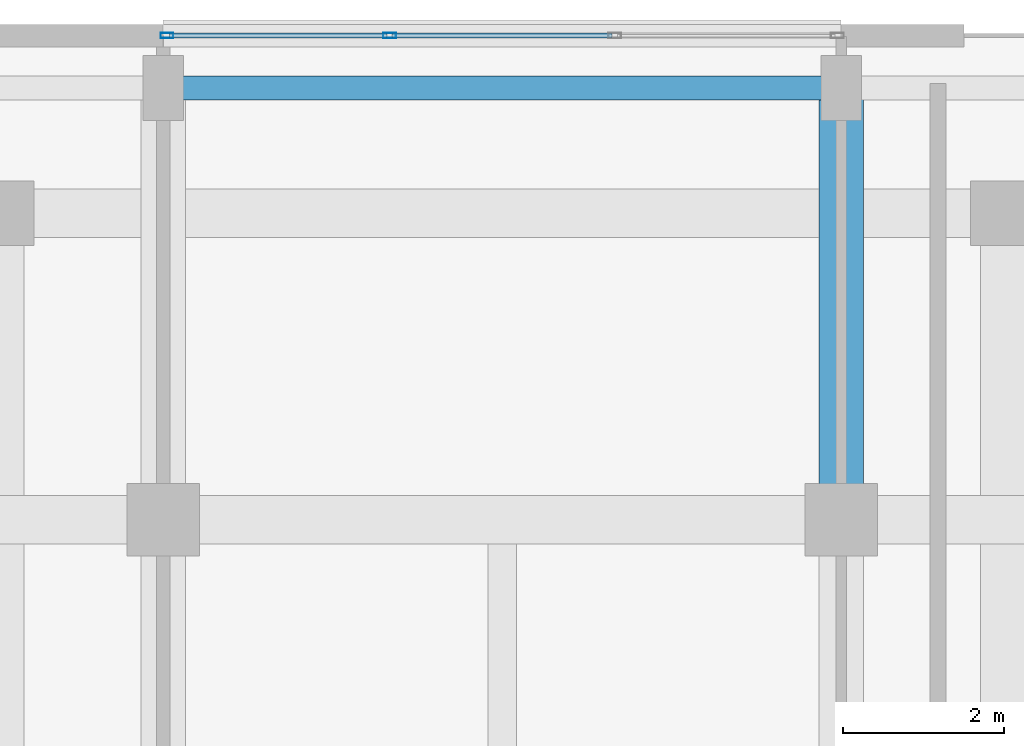
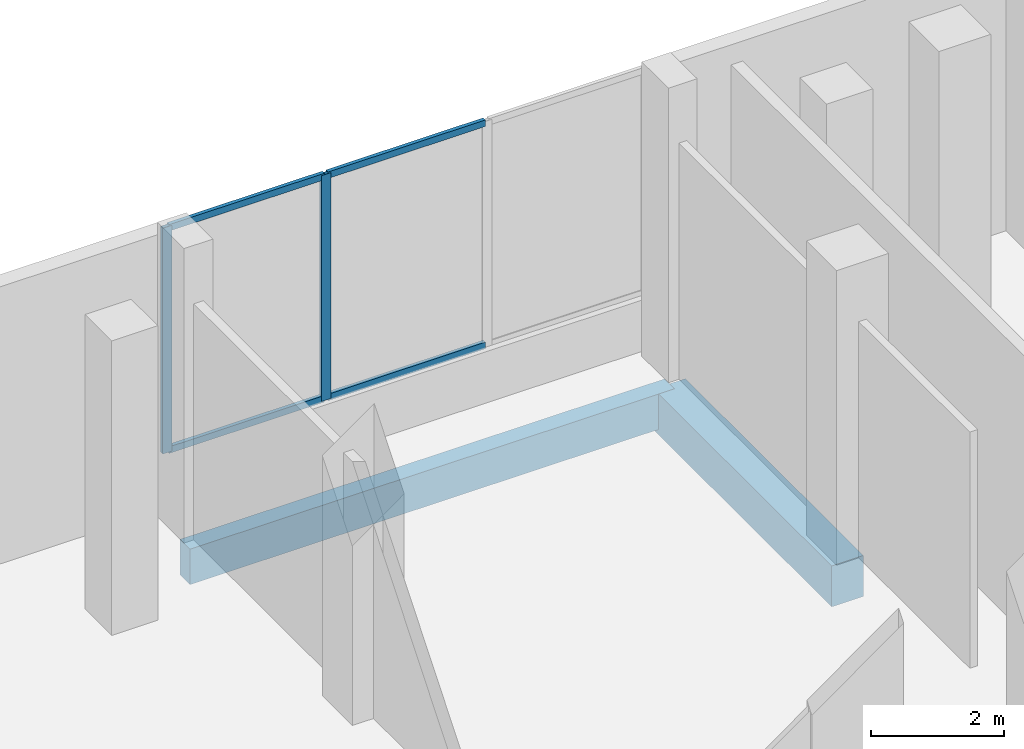
# One storey, part 87 of 158: 6 members, 2 beams, 1 element without a shape of its own.
"""IFC4 building model written with IfcOpenShell, lengths in metres."""

from ifc_helpers import new_model, si_unit, direction, frame, origin, origin_2d, place, context, subcontext, project, spatial, rectangle, hollow_rectangle, extrude, material, material_profile, profile_set, type_object, element, aggregate, save


model = new_model("IFC4")

# Units and contexts
model_context = context("Model", 3, precision=1e-05, world=origin(), true_north=direction((0.0, 1.0)))
body_context = subcontext(model_context, "Body", "Model", "MODEL_VIEW")
ifc_project = project(units=[si_unit("LENGTHUNIT", "METRE"), si_unit("AREAUNIT", "SQUARE_METRE"), si_unit("VOLUMEUNIT", "CUBIC_METRE"), si_unit("PLANEANGLEUNIT", "RADIAN"), si_unit("MASSUNIT", "GRAM", prefix="KILO")], contexts=[model_context])

# Site, building, storey
site_placement = place(None, origin())
site = spatial("IfcSite", under=ifc_project, at=site_placement, CompositionType="ELEMENT")
building_placement = place(site_placement, origin())
building = spatial("IfcBuilding", under=site, at=building_placement, Name="Selatvlak General Hospital", CompositionType="ELEMENT")
storey_placement = place(building_placement, origin())
storey = spatial("IfcBuildingStorey", under=building, at=storey_placement, Name="L00", CompositionType="ELEMENT", Elevation=0.0)

# Beams
ifc_material_1 = material(Name="Concrete C40/50", Category="concrete")
ifc_material_profile_1 = material_profile(ifc_material_1, rectangle(XDim=0.550048828125, YDim=0.75, at=origin_2d()), Name="RC-BM 550x750")
ifc_profile_set_1 = profile_set([ifc_material_profile_1], Name="Concrete C40/50")
beam_type_1 = type_object("IfcBeamType", Name="BM-G02", PredefinedType="BEAM", material=ifc_profile_set_1)
beam_1_placement = place(storey_placement, frame((81.60009765625, 114.0, -0.72509765625), z_axis=(0.0, 1.0, 0.0), x_axis=(-1.0, 0.0, 0.0)))
element("IfcBeam", 1, at=beam_1_placement, inside=storey, type_object=beam_type_1, Name="Beam BMR-L00-0219", PredefinedType="BEAM", context=body_context, shape_type="SweptSolid", body=[
    extrude(rectangle(XDim=0.550048828125, YDim=0.75, at=origin_2d()), origin(), (0.0, 0.0, 1.0), 5.35009765625),
])
ifc_material_profile_2 = material_profile(ifc_material_1, rectangle(XDim=0.300048828125, YDim=0.64990234375, at=origin_2d()), Name="RC-SP 300x650")
ifc_profile_set_2 = profile_set([ifc_material_profile_2], Name="Concrete C40/50")
beam_type_2 = type_object("IfcBeamType", Name="BM-SP1", PredefinedType="SPANDREL", material=ifc_profile_set_2)
beam_2_placement = place(storey_placement, frame((73.199951171875, 119.35009765625, -0.675048828125), z_axis=(1.0, 0.0, 0.0), x_axis=(0.0, 1.0, 0.0)))
element("IfcBeam", 2, at=beam_2_placement, inside=storey, type_object=beam_type_2, Name="Beam BMR-L00-0151", PredefinedType="SPANDREL", context=body_context, shape_type="SweptSolid", body=[
    extrude(rectangle(XDim=0.300048828125, YDim=0.64990234375, at=origin_2d()), origin(), (0.0, 0.0, 1.0), 8.400146484375),
])

# Curtain wall, members
ifc_material_2 = material(Name="Solar-control Low-E double glazing", Category="glass")
curtain_wall_type = type_object("IfcCurtainWallType", Name="CW-CW-01", PredefinedType="USERDEFINED", material=ifc_material_2)
curtain_wall_placement = place(storey_placement, origin())
curtain_wall = element("IfcCurtainWall", 3, at=curtain_wall_placement, inside=storey, type_object=curtain_wall_type, Name="Glazed facade curtain wall CW-L00-0006", ObjectType="UNITISED CURTAIN WALL", PredefinedType="USERDEFINED")
ifc_material_3 = material(Name="Dark anodised aluminium mullion", Category="aluminium")
ifc_material_profile_3 = material_profile(ifc_material_3, hollow_rectangle(XDim=0.06494140625, YDim=0.159912109375, WallThickness=0.00390625, at=origin_2d()), Name="AL-MUL 65x160x4")
ifc_profile_set_3 = profile_set([ifc_material_profile_3], Name="Dark anodised aluminium mullion")
member_type_1 = type_object("IfcMemberType", Name="CWM-01", PredefinedType="MULLION", material=ifc_profile_set_3)
member_1_placement = place(storey_placement, frame((73.24755859375, 119.9990234375, 0.93994140625), z_axis=(0.0, 0.0, 1.0), x_axis=(0.0, 1.0, 0.0)))
member_1 = element("IfcMember", 4, at=member_1_placement, type_object=member_type_1, Name="CW-01 mullion 1", PredefinedType="MULLION", context=body_context, shape_type="SweptSolid", body=[
    extrude(hollow_rectangle(XDim=0.06494140625, YDim=0.159912109375, WallThickness=0.00390625, at=origin_2d()), origin(), (0.0, 0.0, 1.0), 4.14013671875),
])
member_2_placement = place(storey_placement, frame((76.0048828125, 119.9990234375, 0.93994140625), z_axis=(0.0, 0.0, 1.0), x_axis=(0.0, 1.0, 0.0)))
member_2 = element("IfcMember", 5, at=member_2_placement, type_object=member_type_1, Name="CW-01 mullion 2", PredefinedType="MULLION", context=body_context, shape_type="SweptSolid", body=[
    extrude(hollow_rectangle(XDim=0.06494140625, YDim=0.159912109375, WallThickness=0.00390625, at=origin_2d()), origin(), (0.0, 0.0, 1.0), 4.14013671875),
])
ifc_material_profile_4 = material_profile(ifc_material_3, hollow_rectangle(XDim=0.06494140625, YDim=0.1201171875, WallThickness=0.00390625, at=origin_2d()), Name="AL-TRN 65x120x4")
ifc_profile_set_4 = profile_set([ifc_material_profile_4], Name="Dark anodised aluminium mullion")
member_type_2 = type_object("IfcMemberType", Name="CWT-01", PredefinedType="USERDEFINED", material=ifc_profile_set_4)
member_3_placement = place(storey_placement, frame((73.280029296875, 119.9990234375, 0.972412109375), z_axis=(1.0, 0.0, 0.0), x_axis=(0.0, 1.0, 0.0)))
member_3 = element("IfcMember", 6, at=member_3_placement, type_object=member_type_2, Name="CW-01 transom 1.1", ObjectType="TRANSOM", PredefinedType="USERDEFINED", context=body_context, shape_type="SweptSolid", body=[
    extrude(hollow_rectangle(XDim=0.06494140625, YDim=0.1201171875, WallThickness=0.00390625, at=origin_2d()), origin(), (0.0, 0.0, 1.0), 2.6923828125),
])
member_4_placement = place(storey_placement, frame((73.280029296875, 119.9990234375, 5.047607421875), z_axis=(1.0, 0.0, 0.0), x_axis=(0.0, 1.0, 0.0)))
member_4 = element("IfcMember", 7, at=member_4_placement, type_object=member_type_2, Name="CW-01 transom 1.2", ObjectType="TRANSOM", PredefinedType="USERDEFINED", context=body_context, shape_type="SweptSolid", body=[
    extrude(hollow_rectangle(XDim=0.06494140625, YDim=0.1201171875, WallThickness=0.00390625, at=origin_2d()), origin(), (0.0, 0.0, 1.0), 2.6923828125),
])
member_5_placement = place(storey_placement, frame((76.03759765625, 119.9990234375, 0.972412109375), z_axis=(1.0, 0.0, 0.0), x_axis=(0.0, 1.0, 0.0)))
member_5 = element("IfcMember", 8, at=member_5_placement, type_object=member_type_2, Name="CW-01 transom 2.1", ObjectType="TRANSOM", PredefinedType="USERDEFINED", context=body_context, shape_type="SweptSolid", body=[
    extrude(hollow_rectangle(XDim=0.06494140625, YDim=0.1201171875, WallThickness=0.00390625, at=origin_2d()), origin(), (0.0, 0.0, 1.0), 2.724853515625),
])
member_6_placement = place(storey_placement, frame((76.03759765625, 119.9990234375, 5.047607421875), z_axis=(1.0, 0.0, 0.0), x_axis=(0.0, 1.0, 0.0)))
member_6 = element("IfcMember", 9, at=member_6_placement, type_object=member_type_2, Name="CW-01 transom 2.2", ObjectType="TRANSOM", PredefinedType="USERDEFINED", context=body_context, shape_type="SweptSolid", body=[
    extrude(hollow_rectangle(XDim=0.06494140625, YDim=0.1201171875, WallThickness=0.00390625, at=origin_2d()), origin(), (0.0, 0.0, 1.0), 2.724853515625),
])
aggregate(curtain_wall, [member_1, member_2, member_3, member_4, member_5, member_6])

save(model, "model.ifc")
